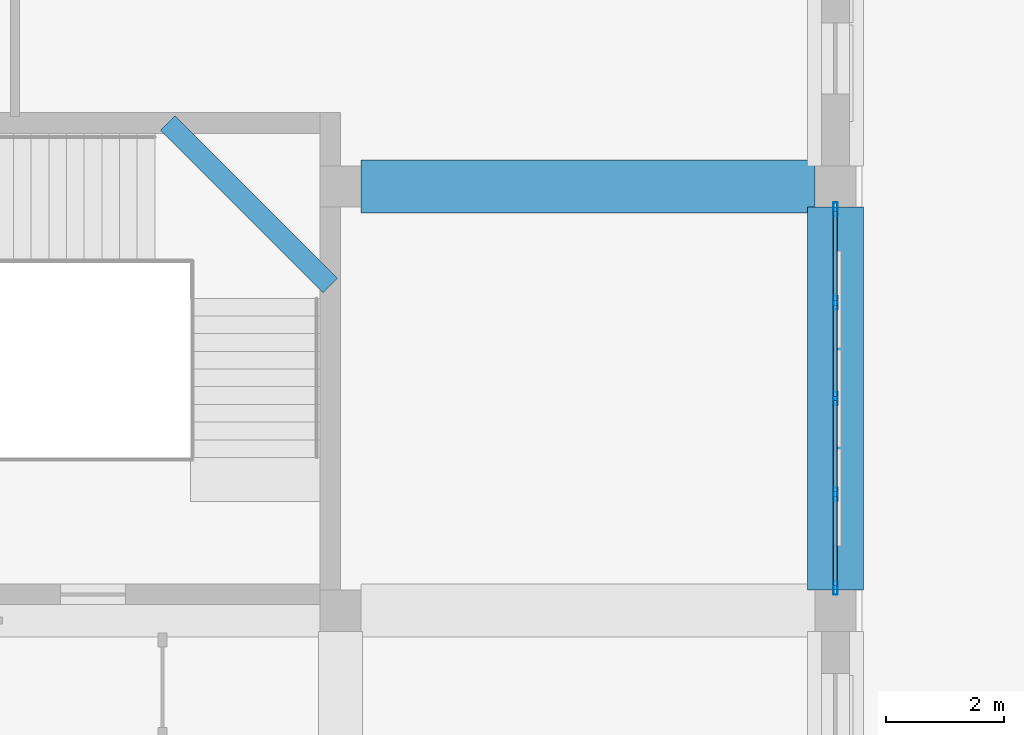
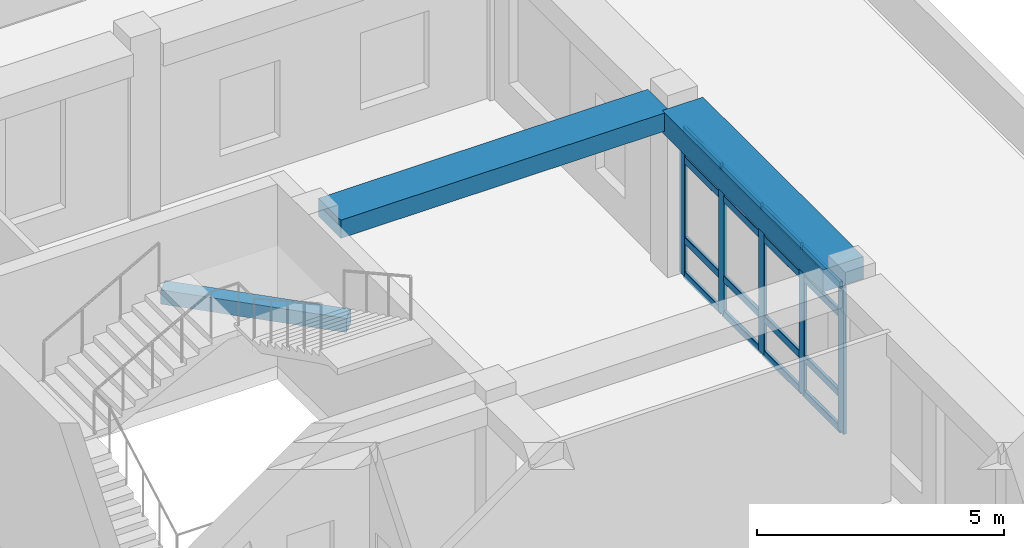
# One storey, part 34 of 100: 21 members, 3 beams, 1 element without a shape of its own.
"""IFC4 building model written with IfcOpenShell, lengths in metres."""

from ifc_helpers import new_model, si_unit, derived_unit, direction, frame, origin, origin_2d, place, context, subcontext, project, spatial, rectangle, hollow_rectangle, extrude, material, material_profile, profile_set, type_object, element, aggregate, save


model = new_model("IFC4")

# Units and contexts
model_context = context("Model", 3, precision=1e-05, world=origin(), true_north=direction((0.0, 1.0)))
body_context = subcontext(model_context, "Body", "Model", "MODEL_VIEW")
ifc_project = project(units=[si_unit("LENGTHUNIT", "METRE"), si_unit("AREAUNIT", "SQUARE_METRE"), si_unit("VOLUMEUNIT", "CUBIC_METRE"), si_unit("PLANEANGLEUNIT", "RADIAN"), si_unit("MASSUNIT", "GRAM", prefix="KILO"), derived_unit("THERMALTRANSMITTANCEUNIT", [(si_unit("POWERUNIT", "WATT"), 1), (si_unit("LENGTHUNIT", "METRE"), -2), (si_unit("THERMODYNAMICTEMPERATUREUNIT", "KELVIN"), -1)])], contexts=[model_context])

# Site, building, storey
site_placement = place(None, origin())
site = spatial("IfcSite", under=ifc_project, at=site_placement, CompositionType="ELEMENT")
building_placement = place(site_placement, origin())
building = spatial("IfcBuilding", under=site, at=building_placement, Name="Veybourne Emporium", CompositionType="ELEMENT")
storey_placement = place(building_placement, frame((0.0, 0.0, 14.39990234375)))
storey = spatial("IfcBuildingStorey", under=building, at=storey_placement, Name="L03", CompositionType="ELEMENT", Elevation=14.39990234375)

# Curtain wall, members
ifc_material_1 = material(Name="Patinated Architectural Bronze", Category="bronze")
curtain_wall_type = type_object("IfcCurtainWallType", Name="CWSystem_CWS-18", PredefinedType="NOTDEFINED", material=ifc_material_1)
curtain_wall_placement = place(storey_placement, origin())
curtain_wall = element("IfcCurtainWall", 1, at=curtain_wall_placement, inside=storey, type_object=curtain_wall_type, Name="L03 bronze glazed curtain wall CWS-18 (045)", PredefinedType="NOTDEFINED")
ifc_material_profile_1 = material_profile(ifc_material_1, hollow_rectangle(XDim=0.074951171875, YDim=0.22998046875, WallThickness=0.0048828125, InnerFilletRadius=0.007568359375, OuterFilletRadius=0.012451171875, at=origin_2d()), Name="CWM 75x230x5")
ifc_profile_set_1 = profile_set([ifc_material_profile_1], Name="Patinated Architectural Bronze")
member_type_1 = type_object("IfcMemberType", Name="CWMullion_CW-M2", PredefinedType="MULLION", material=ifc_profile_set_1)
member_1_placement = place(storey_placement, frame((92.39990234375, 93.21240234375, 0.0), z_axis=(0.0, 0.0, 1.0), x_axis=(1.0, 0.0, 0.0)))
member_1 = element("IfcMember", 2, at=member_1_placement, type_object=member_type_1, Name="CWS-18 mullion 1", PredefinedType="MULLION", context=body_context, shape_type="SweptSolid", body=[
    extrude(hollow_rectangle(XDim=0.074951171875, YDim=0.22998046875, WallThickness=0.0048828125, InnerFilletRadius=0.007568359375, OuterFilletRadius=0.012451171875, at=origin_2d()), origin(), (0.0, 0.0, 1.0), 3.630126953125),
])
member_2_placement = place(storey_placement, frame((92.39990234375, 91.625, 0.0), z_axis=(0.0, 0.0, 1.0), x_axis=(1.0, 0.0, 0.0)))
member_2 = element("IfcMember", 3, at=member_2_placement, type_object=member_type_1, Name="CWS-18 mullion 2", PredefinedType="MULLION", context=body_context, shape_type="SweptSolid", body=[
    extrude(hollow_rectangle(XDim=0.074951171875, YDim=0.22998046875, WallThickness=0.0048828125, InnerFilletRadius=0.007568359375, OuterFilletRadius=0.012451171875, at=origin_2d()), origin(), (0.0, 0.0, 1.0), 3.630126953125),
])
member_3_placement = place(storey_placement, frame((92.39990234375, 90.0, 0.0), z_axis=(0.0, 0.0, 1.0), x_axis=(1.0, 0.0, 0.0)))
member_3 = element("IfcMember", 4, at=member_3_placement, type_object=member_type_1, Name="CWS-18 mullion 3", PredefinedType="MULLION", context=body_context, shape_type="SweptSolid", body=[
    extrude(hollow_rectangle(XDim=0.074951171875, YDim=0.22998046875, WallThickness=0.0048828125, InnerFilletRadius=0.007568359375, OuterFilletRadius=0.012451171875, at=origin_2d()), origin(), (0.0, 0.0, 1.0), 3.630126953125),
])
member_4_placement = place(storey_placement, frame((92.39990234375, 88.375, 0.0), z_axis=(0.0, 0.0, 1.0), x_axis=(1.0, 0.0, 0.0)))
member_4 = element("IfcMember", 5, at=member_4_placement, type_object=member_type_1, Name="CWS-18 mullion 4", PredefinedType="MULLION", context=body_context, shape_type="SweptSolid", body=[
    extrude(hollow_rectangle(XDim=0.074951171875, YDim=0.22998046875, WallThickness=0.0048828125, InnerFilletRadius=0.007568359375, OuterFilletRadius=0.012451171875, at=origin_2d()), origin(), (0.0, 0.0, 1.0), 3.630126953125),
])
member_5_placement = place(storey_placement, frame((92.39990234375, 86.78759765625, 0.0), z_axis=(0.0, 0.0, 1.0), x_axis=(1.0, 0.0, 0.0)))
member_5 = element("IfcMember", 6, at=member_5_placement, type_object=member_type_1, Name="CWS-18 mullion 5", PredefinedType="MULLION", context=body_context, shape_type="SweptSolid", body=[
    extrude(hollow_rectangle(XDim=0.074951171875, YDim=0.22998046875, WallThickness=0.0048828125, InnerFilletRadius=0.007568359375, OuterFilletRadius=0.012451171875, at=origin_2d()), origin(), (0.0, 0.0, 1.0), 3.630126953125),
])
ifc_material_profile_2 = material_profile(ifc_material_1, hollow_rectangle(XDim=0.074951171875, YDim=0.179931640625, WallThickness=0.0048828125, InnerFilletRadius=0.007568359375, OuterFilletRadius=0.012451171875, at=origin_2d()), Name="CWT 75x180x5")
ifc_profile_set_2 = profile_set([ifc_material_profile_2], Name="Patinated Architectural Bronze")
member_type_2 = type_object("IfcMemberType", Name="CWTransom_CW-T2", PredefinedType="NOTDEFINED", material=ifc_profile_set_2)
member_6_placement = place(storey_placement, frame((92.39990234375, 93.175048828125, 0.03759765625), z_axis=(0.0, -1.0, 0.0), x_axis=(1.0, 0.0, 0.0)))
member_6 = element("IfcMember", 7, at=member_6_placement, type_object=member_type_2, Name="CWS-18 transom 1.1", ObjectType="TRANSOM", PredefinedType="USERDEFINED", context=body_context, shape_type="SweptSolid", body=[
    extrude(hollow_rectangle(XDim=0.074951171875, YDim=0.179931640625, WallThickness=0.0048828125, InnerFilletRadius=0.007568359375, OuterFilletRadius=0.012451171875, at=origin_2d()), origin(), (0.0, 0.0, 1.0), 1.512451171875),
])
member_7_placement = place(storey_placement, frame((92.39990234375, 93.175048828125, 0.900146484375), z_axis=(0.0, -1.0, 0.0), x_axis=(1.0, 0.0, 0.0)))
member_7 = element("IfcMember", 8, at=member_7_placement, type_object=member_type_2, Name="CWS-18 transom 1.2", ObjectType="TRANSOM", PredefinedType="USERDEFINED", context=body_context, shape_type="SweptSolid", body=[
    extrude(hollow_rectangle(XDim=0.074951171875, YDim=0.179931640625, WallThickness=0.0048828125, InnerFilletRadius=0.007568359375, OuterFilletRadius=0.012451171875, at=origin_2d()), origin(), (0.0, 0.0, 1.0), 1.512451171875),
])
member_8_placement = place(storey_placement, frame((92.39990234375, 93.175048828125, 2.880126953125), z_axis=(0.0, -1.0, 0.0), x_axis=(1.0, 0.0, 0.0)))
member_8 = element("IfcMember", 9, at=member_8_placement, type_object=member_type_2, Name="CWS-18 transom 1.3", ObjectType="TRANSOM", PredefinedType="USERDEFINED", context=body_context, shape_type="SweptSolid", body=[
    extrude(hollow_rectangle(XDim=0.074951171875, YDim=0.179931640625, WallThickness=0.0048828125, InnerFilletRadius=0.007568359375, OuterFilletRadius=0.012451171875, at=origin_2d()), origin(), (0.0, 0.0, 1.0), 1.512451171875),
])
member_9_placement = place(storey_placement, frame((92.39990234375, 93.175048828125, 3.592529296875), z_axis=(0.0, -1.0, 0.0), x_axis=(1.0, 0.0, 0.0)))
member_9 = element("IfcMember", 10, at=member_9_placement, type_object=member_type_2, Name="CWS-18 transom 1.4", ObjectType="TRANSOM", PredefinedType="USERDEFINED", context=body_context, shape_type="SweptSolid", body=[
    extrude(hollow_rectangle(XDim=0.074951171875, YDim=0.179931640625, WallThickness=0.0048828125, InnerFilletRadius=0.007568359375, OuterFilletRadius=0.012451171875, at=origin_2d()), origin(), (0.0, 0.0, 1.0), 1.512451171875),
])
member_10_placement = place(storey_placement, frame((92.39990234375, 91.58740234375, 0.03759765625), z_axis=(0.0, -1.0, 0.0), x_axis=(1.0, 0.0, 0.0)))
member_10 = element("IfcMember", 11, at=member_10_placement, type_object=member_type_2, Name="CWS-18 transom 2.1", ObjectType="TRANSOM", PredefinedType="USERDEFINED", context=body_context, shape_type="SweptSolid", body=[
    extrude(hollow_rectangle(XDim=0.074951171875, YDim=0.179931640625, WallThickness=0.0048828125, InnerFilletRadius=0.007568359375, OuterFilletRadius=0.012451171875, at=origin_2d()), origin(), (0.0, 0.0, 1.0), 1.5498046875),
])
member_11_placement = place(storey_placement, frame((92.39990234375, 91.58740234375, 0.900146484375), z_axis=(0.0, -1.0, 0.0), x_axis=(1.0, 0.0, 0.0)))
member_11 = element("IfcMember", 12, at=member_11_placement, type_object=member_type_2, Name="CWS-18 transom 2.2", ObjectType="TRANSOM", PredefinedType="USERDEFINED", context=body_context, shape_type="SweptSolid", body=[
    extrude(hollow_rectangle(XDim=0.074951171875, YDim=0.179931640625, WallThickness=0.0048828125, InnerFilletRadius=0.007568359375, OuterFilletRadius=0.012451171875, at=origin_2d()), origin(), (0.0, 0.0, 1.0), 1.5498046875),
])
member_12_placement = place(storey_placement, frame((92.39990234375, 91.58740234375, 2.880126953125), z_axis=(0.0, -1.0, 0.0), x_axis=(1.0, 0.0, 0.0)))
member_12 = element("IfcMember", 13, at=member_12_placement, type_object=member_type_2, Name="CWS-18 transom 2.3", ObjectType="TRANSOM", PredefinedType="USERDEFINED", context=body_context, shape_type="SweptSolid", body=[
    extrude(hollow_rectangle(XDim=0.074951171875, YDim=0.179931640625, WallThickness=0.0048828125, InnerFilletRadius=0.007568359375, OuterFilletRadius=0.012451171875, at=origin_2d()), origin(), (0.0, 0.0, 1.0), 1.5498046875),
])
member_13_placement = place(storey_placement, frame((92.39990234375, 91.58740234375, 3.592529296875), z_axis=(0.0, -1.0, 0.0), x_axis=(1.0, 0.0, 0.0)))
member_13 = element("IfcMember", 14, at=member_13_placement, type_object=member_type_2, Name="CWS-18 transom 2.4", ObjectType="TRANSOM", PredefinedType="USERDEFINED", context=body_context, shape_type="SweptSolid", body=[
    extrude(hollow_rectangle(XDim=0.074951171875, YDim=0.179931640625, WallThickness=0.0048828125, InnerFilletRadius=0.007568359375, OuterFilletRadius=0.012451171875, at=origin_2d()), origin(), (0.0, 0.0, 1.0), 1.5498046875),
])
member_14_placement = place(storey_placement, frame((92.39990234375, 89.96240234375, 0.03759765625), z_axis=(0.0, -1.0, 0.0), x_axis=(1.0, 0.0, 0.0)))
member_14 = element("IfcMember", 15, at=member_14_placement, type_object=member_type_2, Name="CWS-18 transom 3.1", ObjectType="TRANSOM", PredefinedType="USERDEFINED", context=body_context, shape_type="SweptSolid", body=[
    extrude(hollow_rectangle(XDim=0.074951171875, YDim=0.179931640625, WallThickness=0.0048828125, InnerFilletRadius=0.007568359375, OuterFilletRadius=0.012451171875, at=origin_2d()), origin(), (0.0, 0.0, 1.0), 1.5498046875),
])
member_15_placement = place(storey_placement, frame((92.39990234375, 89.96240234375, 0.900146484375), z_axis=(0.0, -1.0, 0.0), x_axis=(1.0, 0.0, 0.0)))
member_15 = element("IfcMember", 16, at=member_15_placement, type_object=member_type_2, Name="CWS-18 transom 3.2", ObjectType="TRANSOM", PredefinedType="USERDEFINED", context=body_context, shape_type="SweptSolid", body=[
    extrude(hollow_rectangle(XDim=0.074951171875, YDim=0.179931640625, WallThickness=0.0048828125, InnerFilletRadius=0.007568359375, OuterFilletRadius=0.012451171875, at=origin_2d()), origin(), (0.0, 0.0, 1.0), 1.5498046875),
])
member_16_placement = place(storey_placement, frame((92.39990234375, 89.96240234375, 2.880126953125), z_axis=(0.0, -1.0, 0.0), x_axis=(1.0, 0.0, 0.0)))
member_16 = element("IfcMember", 17, at=member_16_placement, type_object=member_type_2, Name="CWS-18 transom 3.3", ObjectType="TRANSOM", PredefinedType="USERDEFINED", context=body_context, shape_type="SweptSolid", body=[
    extrude(hollow_rectangle(XDim=0.074951171875, YDim=0.179931640625, WallThickness=0.0048828125, InnerFilletRadius=0.007568359375, OuterFilletRadius=0.012451171875, at=origin_2d()), origin(), (0.0, 0.0, 1.0), 1.5498046875),
])
member_17_placement = place(storey_placement, frame((92.39990234375, 89.96240234375, 3.592529296875), z_axis=(0.0, -1.0, 0.0), x_axis=(1.0, 0.0, 0.0)))
member_17 = element("IfcMember", 18, at=member_17_placement, type_object=member_type_2, Name="CWS-18 transom 3.4", ObjectType="TRANSOM", PredefinedType="USERDEFINED", context=body_context, shape_type="SweptSolid", body=[
    extrude(hollow_rectangle(XDim=0.074951171875, YDim=0.179931640625, WallThickness=0.0048828125, InnerFilletRadius=0.007568359375, OuterFilletRadius=0.012451171875, at=origin_2d()), origin(), (0.0, 0.0, 1.0), 1.5498046875),
])
member_18_placement = place(storey_placement, frame((92.39990234375, 88.33740234375, 0.03759765625), z_axis=(0.0, -1.0, 0.0), x_axis=(1.0, 0.0, 0.0)))
member_18 = element("IfcMember", 19, at=member_18_placement, type_object=member_type_2, Name="CWS-18 transom 4.1", ObjectType="TRANSOM", PredefinedType="USERDEFINED", context=body_context, shape_type="SweptSolid", body=[
    extrude(hollow_rectangle(XDim=0.074951171875, YDim=0.179931640625, WallThickness=0.0048828125, InnerFilletRadius=0.007568359375, OuterFilletRadius=0.012451171875, at=origin_2d()), origin(), (0.0, 0.0, 1.0), 1.512451171875),
])
member_19_placement = place(storey_placement, frame((92.39990234375, 88.33740234375, 0.900146484375), z_axis=(0.0, -1.0, 0.0), x_axis=(1.0, 0.0, 0.0)))
member_19 = element("IfcMember", 20, at=member_19_placement, type_object=member_type_2, Name="CWS-18 transom 4.2", ObjectType="TRANSOM", PredefinedType="USERDEFINED", context=body_context, shape_type="SweptSolid", body=[
    extrude(hollow_rectangle(XDim=0.074951171875, YDim=0.179931640625, WallThickness=0.0048828125, InnerFilletRadius=0.007568359375, OuterFilletRadius=0.012451171875, at=origin_2d()), origin(), (0.0, 0.0, 1.0), 1.512451171875),
])
member_20_placement = place(storey_placement, frame((92.39990234375, 88.33740234375, 2.880126953125), z_axis=(0.0, -1.0, 0.0), x_axis=(1.0, 0.0, 0.0)))
member_20 = element("IfcMember", 21, at=member_20_placement, type_object=member_type_2, Name="CWS-18 transom 4.3", ObjectType="TRANSOM", PredefinedType="USERDEFINED", context=body_context, shape_type="SweptSolid", body=[
    extrude(hollow_rectangle(XDim=0.074951171875, YDim=0.179931640625, WallThickness=0.0048828125, InnerFilletRadius=0.007568359375, OuterFilletRadius=0.012451171875, at=origin_2d()), origin(), (0.0, 0.0, 1.0), 1.512451171875),
])
member_21_placement = place(storey_placement, frame((92.39990234375, 88.33740234375, 3.592529296875), z_axis=(0.0, -1.0, 0.0), x_axis=(1.0, 0.0, 0.0)))
member_21 = element("IfcMember", 22, at=member_21_placement, type_object=member_type_2, Name="CWS-18 transom 4.4", ObjectType="TRANSOM", PredefinedType="USERDEFINED", context=body_context, shape_type="SweptSolid", body=[
    extrude(hollow_rectangle(XDim=0.074951171875, YDim=0.179931640625, WallThickness=0.0048828125, InnerFilletRadius=0.007568359375, OuterFilletRadius=0.012451171875, at=origin_2d()), origin(), (0.0, 0.0, 1.0), 1.512451171875),
])
aggregate(curtain_wall, [member_1, member_2, member_3, member_4, member_5, member_6, member_7, member_8, member_9, member_10, member_11, member_12, member_13, member_14, member_15, member_16, member_17, member_18, member_19, member_20, member_21])

# Beams
ifc_material_2 = material(Name="Concrete C32/40", Category="concrete")
ifc_material_profile_3 = material_profile(ifc_material_2, rectangle(XDim=0.35009765625, YDim=0.35009765625, at=origin_2d()), Name="RC 350x350")
ifc_profile_set_3 = profile_set([ifc_material_profile_3], Name="Concrete C32/40")
beam_type_1 = type_object("IfcBeamType", Name="LandingBeam_LB-01", PredefinedType="BEAM", material=ifc_profile_set_3)
beam_1_placement = place(storey_placement, frame((81.070068359375, 94.675048828125, 2.625), z_axis=(0.707075449606, -0.707138111379, 0.0), x_axis=(0.707138111379, 0.707075449606, 0.0)))
element("IfcBeam", 23, at=beam_1_placement, inside=storey, type_object=beam_type_1, Name="L03 ST-04 landing 2 support beam", PredefinedType="BEAM", context=body_context, shape_type="SweptSolid", body=[
    extrude(rectangle(XDim=0.35009765625, YDim=0.35009765625, at=origin_2d()), origin(), (0.0, 0.0, 1.0), 3.896240234375),
])
ifc_material_profile_4 = material_profile(ifc_material_2, rectangle(XDim=0.89990234375, YDim=0.449951171875, at=origin_2d()), Name="RC 900x450")
ifc_profile_set_4 = profile_set([ifc_material_profile_4], Name="Concrete C32/40")
beam_type_2 = type_object("IfcBeamType", Name="RCBeam_BB-03", PredefinedType="BEAM", material=ifc_profile_set_4)
beam_2_placement = place(storey_placement, frame((84.35009765625, 93.60009765625, 3.955078125), z_axis=(1.0, 0.0, 0.0), x_axis=(0.0, 1.0, 0.0)))
element("IfcBeam", 24, at=beam_2_placement, inside=storey, type_object=beam_type_2, Name="L03 X-grid beam BB-03 (10,13)", PredefinedType="BEAM", context=body_context, shape_type="SweptSolid", body=[
    extrude(rectangle(XDim=0.89990234375, YDim=0.449951171875, at=origin_2d()), origin(), (0.0, 0.0, 1.0), 7.699951171875),
])
ifc_material_profile_5 = material_profile(ifc_material_2, rectangle(XDim=0.949951171875, YDim=0.550048828125, at=origin_2d()), Name="RC 950x550")
ifc_profile_set_5 = profile_set([ifc_material_profile_5], Name="Concrete C32/40")
beam_type_3 = type_object("IfcBeamType", Name="RCBeam_EB-01", PredefinedType="SPANDREL", material=ifc_profile_set_5)
beam_3_placement = place(storey_placement, frame((92.39990234375, 86.75, 3.905029296875), z_axis=(0.0, 1.0, 0.0), x_axis=(-1.0, 0.0, 0.0)))
element("IfcBeam", 25, at=beam_3_placement, inside=storey, type_object=beam_type_3, Name="L03 Y-grid beam EB-01 (11,12)", PredefinedType="SPANDREL", context=body_context, shape_type="SweptSolid", body=[
    extrude(rectangle(XDim=0.949951171875, YDim=0.550048828125, at=origin_2d()), origin(), (0.0, 0.0, 1.0), 6.5),
])

save(model, "model.ifc")
